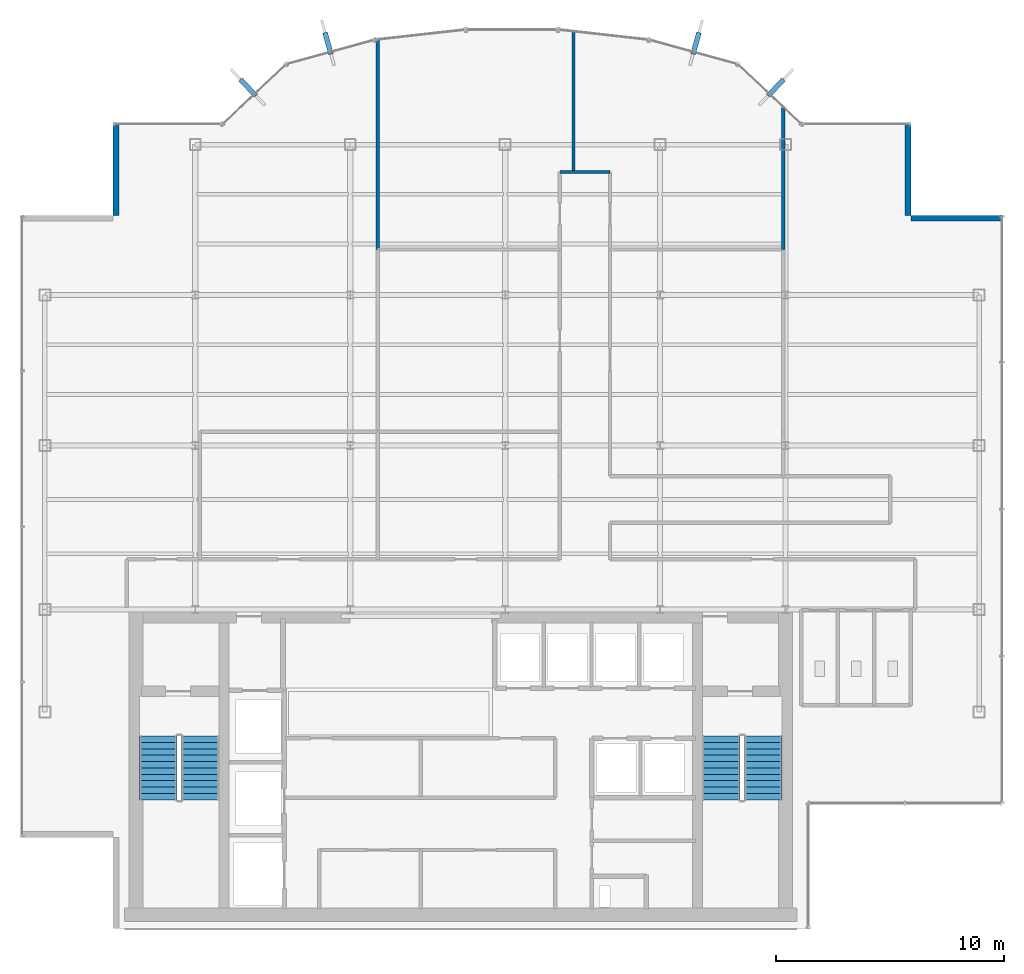
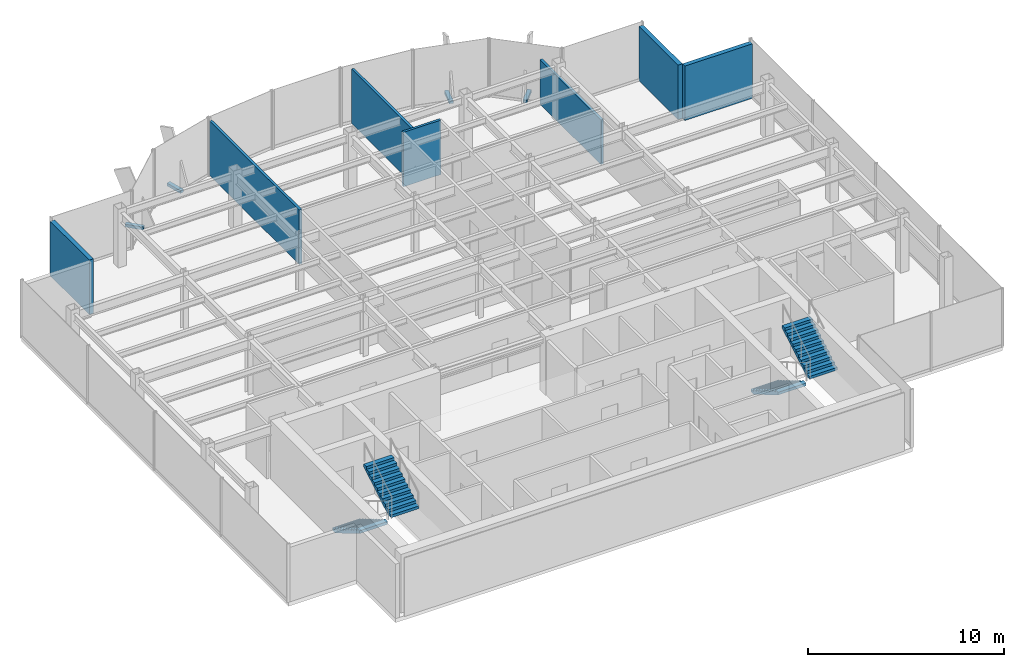
# One storey, part 19 of 22: 7 walls, 4 discrete accessories, 4 stair flights, 2 elements without a shape of their own.
"""IFC4 building model written with IfcOpenShell, lengths in metres."""

from ifc_helpers import new_model, si_unit, derived_unit, direction, frame, frame_2d, origin, origin_2d, place, context, subcontext, project, spatial, polyline, rectangle, outline, extrude, source, transform, mapped, material, layer, layer_set, type_object, element, aggregate, save


model = new_model("IFC4")

# Units and contexts
model_context = context("Model", 3, precision=1e-05, world=origin(), true_north=direction((0.0, 1.0)))
body_context = subcontext(model_context, "Body", "Model", "MODEL_VIEW")
ifc_project = project(units=[si_unit("LENGTHUNIT", "METRE"), si_unit("AREAUNIT", "SQUARE_METRE"), si_unit("VOLUMEUNIT", "CUBIC_METRE"), si_unit("PLANEANGLEUNIT", "RADIAN"), si_unit("MASSUNIT", "GRAM", prefix="KILO"), derived_unit("THERMALTRANSMITTANCEUNIT", [(si_unit("POWERUNIT", "WATT"), 1), (si_unit("LENGTHUNIT", "METRE"), -2), (si_unit("THERMODYNAMICTEMPERATUREUNIT", "KELVIN"), -1)])], contexts=[model_context])

# Site, building, storey
site_placement = place(None, origin())
site = spatial("IfcSite", under=ifc_project, at=site_placement, CompositionType="ELEMENT")
building_placement = place(site_placement, origin())
building = spatial("IfcBuilding", under=site, at=building_placement, Name="Skarnbrae Concourse Arena and Tower", CompositionType="ELEMENT")
storey_placement = place(building_placement, frame((0.0, 0.0, 217.800048828125)))
storey = spatial("IfcBuildingStorey", under=building, at=storey_placement, Name="L56", CompositionType="ELEMENT", Elevation=217.800048828125)

# Walls
ifc_material_1 = material(Name="Precast concrete 40 MPa (C40/50)", Category="concrete")
ifc_layer_1 = layer(ifc_material_1, 0.25)
ifc_layer_set_1 = layer_set([ifc_layer_1], Name="Precast concrete 40 MPa (C40/50)")
wall_type_1 = type_object("IfcWallType", Name="WALL-EXT-SPANDREL-250", PredefinedType="STANDARD", material=ifc_layer_set_1)
shared_shape_1 = source(origin(), body_context, "Body", "SweptSolid", [
    extrude(rectangle(XDim=4.0, YDim=0.25, at=frame_2d((2.0, 0.0))), origin(), (0.0, 0.0, 1.0), 3.39990234375),
])
for number, where, z_axis, x_axis, name in (
    (1, (43.0, 31.175048828125, 0.0), (0.0, 0.0, 1.0), (-1.0, 0.0, 0.0), "L56 Notched corner insulated return wall 05"),
    (2, (38.875, 31.300048828125, 0.0), (0.0, 0.0, 1.0), (0.0, 1.0, 0.0), "L56 Notched corner insulated return wall 06"),
    (3, (4.125, 35.300048828125, 0.0), (0.0, 0.0, 1.0), (0.0, -1.0, 0.0), "L56 Notched corner insulated return wall 16"),
):
    element("IfcWall", number, at=place(storey_placement, frame(where, z_axis=z_axis, x_axis=x_axis)), inside=storey, type_object=wall_type_1, Name=name, PredefinedType="STANDARD", context=body_context, shape_type="MappedRepresentation", body=[
        mapped(shared_shape_1, transform((0.0, 0.0, 0.0))),
    ])
ifc_material_2 = material(Name="Gypsum board on cold-formed steel studs", Category="steel")
ifc_layer_2 = layer(ifc_material_2, 0.14990234375)
ifc_layer_set_2 = layer_set([ifc_layer_2], Name="Gypsum board on cold-formed steel studs")
wall_type_2 = type_object("IfcWallType", Name="WALL-PART-150-1HR", PredefinedType="PARTITIONING", material=ifc_layer_set_2)
shared_shape_2 = source(origin(), body_context, "Body", "SweptSolid", [
    extrude(rectangle(XDim=2.199951171875, YDim=0.14990234375, at=frame_2d((1.10009765625, 0.0))), origin(), (0.0, 0.0, 1.0), 3.39990234375),
])
wall_1_placement = place(storey_placement, frame((23.60009765625, 33.199951171875, 0.0), z_axis=(0.0, 0.0, 1.0), x_axis=(1.0, 0.0, 0.0)))
element("IfcWall", 4, at=wall_1_placement, inside=storey, type_object=wall_type_2, Name="L56 Interior partition wall W-L56-COR-06", PredefinedType="PARTITIONING", context=body_context, shape_type="MappedRepresentation", body=[
    mapped(shared_shape_2, transform((0.0, 0.0, 0.0))),
])
ifc_layer_3 = layer(ifc_material_2, 0.14990234375)
ifc_layer_set_3 = layer_set([ifc_layer_3], Name="Gypsum board on cold-formed steel studs")
wall_type_3 = type_object("IfcWallType", Name="WALL-PART-150", PredefinedType="PARTITIONING", material=ifc_layer_set_3)
shared_shape_3 = source(origin(), body_context, "Body", "SweptSolid", [
    extrude(rectangle(XDim=9.191162109375, YDim=0.14990234375, at=frame_2d((4.595703125, 0.0))), origin(), (0.0, 0.0, 1.0), 3.39990234375),
])
wall_2_placement = place(storey_placement, frame((15.60009765625, 38.9912109375, 0.0), z_axis=(0.0, 0.0, 1.0), x_axis=(0.0, -1.0, 0.0)))
element("IfcWall", 5, at=wall_2_placement, inside=storey, type_object=wall_type_3, Name="L56 Interior partition wall W-L56-DEM-21", PredefinedType="PARTITIONING", context=body_context, shape_type="MappedRepresentation", body=[
    mapped(shared_shape_3, transform((0.0, 0.0, 0.0))),
])
shared_shape_4 = source(origin(), body_context, "Body", "SweptSolid", [
    extrude(rectangle(XDim=6.150146484375, YDim=0.14990234375, at=frame_2d((3.0751953125, 0.0))), origin(), (0.0, 0.0, 1.0), 3.39990234375),
])
wall_3_placement = place(storey_placement, frame((24.199951171875, 39.35009765625, 0.0), z_axis=(0.0, 0.0, 1.0), x_axis=(0.0, -1.0, 0.0)))
element("IfcWall", 6, at=wall_3_placement, inside=storey, type_object=wall_type_3, Name="L56 Interior partition wall W-L56-DEM-22", PredefinedType="PARTITIONING", context=body_context, shape_type="MappedRepresentation", body=[
    mapped(shared_shape_4, transform((0.0, 0.0, 0.0))),
])
shared_shape_5 = source(origin(), body_context, "Body", "SweptSolid", [
    extrude(rectangle(XDim=6.2255859375, YDim=0.14990234375, at=frame_2d((3.11279296875, 0.0))), origin(), (0.0, 0.0, 1.0), 2.786865234375),
])
wall_4_placement = place(storey_placement, frame((33.39990234375, 36.025634765625, 0.0), z_axis=(0.0, 0.0, 1.0), x_axis=(0.0, -1.0, 0.0)))
element("IfcWall", 7, at=wall_4_placement, inside=storey, type_object=wall_type_3, Name="L56 Interior partition wall W-L56-DEM-26", PredefinedType="PARTITIONING", context=body_context, shape_type="MappedRepresentation", body=[
    mapped(shared_shape_5, transform((0.0, 0.0, 0.0))),
])

# Stair, stair flights
ifc_material_3 = material(Name="Concrete 40 MPa (C40/50)", Category="concrete")
stair_type = type_object("IfcStairType", Name="STAIR-DOGLEG-1650", PredefinedType="HALF_TURN_STAIR", material=ifc_material_3)
stair_1_placement = place(storey_placement, origin())
stair_1 = element("IfcStair", 8, at=stair_1_placement, inside=storey, type_object=stair_type, Name="L56 Protected Exit Stair ST-1", PredefinedType="HALF_TURN_STAIR")
stair_flight_type = type_object("IfcStairFlightType", Name="FLIGHT-STRAIGHT-1650", PredefinedType="STRAIGHT", material=ifc_material_3)
shared_shape_6 = source(origin(), body_context, "Body", "SweptSolid", [
    extrude(outline(polyline([(0.0, 0.0), (0.0, 0.166015625), (0.280029296875, 0.166015625), (0.280029296875, 0.331787109375), (0.56005859375, 0.331787109375), (0.56005859375, 0.497802734375), (0.840087890625, 0.497802734375), (0.840087890625, 0.66357421875), (1.1201171875, 0.66357421875), (1.1201171875, 0.82958984375), (1.39990234375, 0.82958984375), (1.39990234375, 0.995361328125), (1.679931640625, 0.995361328125), (1.679931640625, 1.161376953125), (1.9599609375, 1.161376953125), (1.9599609375, 1.327392578125), (2.239990234375, 1.327392578125), (2.239990234375, 1.4931640625), (2.52001953125, 1.4931640625), (2.52001953125, 1.6591796875), (2.800048828125, 1.6591796875), (2.800048828125, 1.824951171875), (2.800048828125, 1.48486328125), (0.2939453125, 0.0), (0.0, 0.0)])), frame((0.0, 0.824951171875, 0.0), z_axis=(0.0, -1.0, 0.0), x_axis=(1.0, 0.0, 0.0)), (0.0, 0.0, 1.0), 1.64990234375),
])
stair_flight_1_placement = place(storey_placement, frame((5.97509765625, 8.449951171875, 0.0), z_axis=(0.0, 0.0, 1.0), x_axis=(0.0, -1.0, 0.0)))
stair_flight_1 = element("IfcStairFlight", 9, at=stair_flight_1_placement, type_object=stair_flight_type, Name="ST-1 flight 1", NumberOfRisers=11, NumberOfTreads=10, PredefinedType="STRAIGHT", RiserHeight=0.165909091, TreadLength=0.28, context=body_context, shape_type="MappedRepresentation", body=[
    mapped(shared_shape_6, transform((0.0, 0.0, 0.0))),
])
stair_flight_2_placement = place(storey_placement, frame((7.824951171875, 5.64990234375, 1.824951171875), z_axis=(0.0, 0.0, 1.0), x_axis=(0.0, 1.0, 0.0)))
stair_flight_2 = element("IfcStairFlight", 10, at=stair_flight_2_placement, type_object=stair_flight_type, Name="ST-1 flight 2", NumberOfRisers=11, NumberOfTreads=10, PredefinedType="STRAIGHT", RiserHeight=0.165909091, TreadLength=0.28, context=body_context, shape_type="MappedRepresentation", body=[
    mapped(shared_shape_6, transform((0.0, 0.0, 0.0))),
])
aggregate(stair_1, [stair_flight_1, stair_flight_2])

stair_2_placement = place(storey_placement, origin())
stair_2 = element("IfcStair", 11, at=stair_2_placement, inside=storey, type_object=stair_type, Name="L56 Protected Exit Stair ST-2", PredefinedType="HALF_TURN_STAIR")
stair_flight_3_placement = place(storey_placement, frame((30.675048828125, 8.449951171875, 0.0), z_axis=(0.0, 0.0, 1.0), x_axis=(0.0, -1.0, 0.0)))
stair_flight_3 = element("IfcStairFlight", 12, at=stair_flight_3_placement, type_object=stair_flight_type, Name="ST-2 flight 1", NumberOfRisers=11, NumberOfTreads=10, PredefinedType="STRAIGHT", RiserHeight=0.165909091, TreadLength=0.28, context=body_context, shape_type="MappedRepresentation", body=[
    mapped(shared_shape_6, transform((0.0, 0.0, 0.0))),
])
stair_flight_4_placement = place(storey_placement, frame((32.52490234375, 5.64990234375, 1.824951171875), z_axis=(0.0, 0.0, 1.0), x_axis=(0.0, 1.0, 0.0)))
stair_flight_4 = element("IfcStairFlight", 13, at=stair_flight_4_placement, type_object=stair_flight_type, Name="ST-2 flight 2", NumberOfRisers=11, NumberOfTreads=10, PredefinedType="STRAIGHT", RiserHeight=0.165909091, TreadLength=0.28, context=body_context, shape_type="MappedRepresentation", body=[
    mapped(shared_shape_6, transform((0.0, 0.0, 0.0))),
])
aggregate(stair_2, [stair_flight_3, stair_flight_4])

# Discrete accessories
ifc_material_4 = material(Name="Bronze anodised aluminium 6063-T6", Category="aluminium")
discrete_accessory_type = type_object("IfcDiscreteAccessoryType", Name="ACC-FIN-BRACKET", PredefinedType="BRACKET", material=ifc_material_4)
shared_shape_7 = source(origin(), body_context, "Body", "SweptSolid", [
    extrude(rectangle(XDim=0.219970703125, YDim=0.97998046875, at=origin_2d()), origin(), (0.0, 0.0, 1.0), 0.179931640625),
])
for number, where, z_axis, x_axis, name in (
    (14, (33.0791015625, 36.904541015625, -0.02978515625), (0.0, 0.0, 1.0), (0.728131751529, -0.685437198009, 0.0), "L56 Bronze fin foot support bracket 08"),
    (15, (29.573974609375, 38.847412109375, -0.02978515625), (0.0, 0.0, 1.0), (0.964058316208, -0.265690728011, 0.0), "L56 Bronze fin foot support bracket 09"),
    (16, (13.426025390625, 38.847412109375, -0.02978515625), (0.0, 0.0, 1.0), (0.964058316208, 0.265690728011, 0.0), "L56 Bronze fin foot support bracket 13"),
    (17, (9.9208984375, 36.904541015625, -0.02978515625), (0.0, 0.0, 1.0), (0.728131751529, 0.685437198009, 0.0), "L56 Bronze fin foot support bracket 14"),
):
    element("IfcDiscreteAccessory", number, at=place(storey_placement, frame(where, z_axis=z_axis, x_axis=x_axis)), inside=storey, type_object=discrete_accessory_type, Name=name, PredefinedType="BRACKET", context=body_context, shape_type="MappedRepresentation", body=[
        mapped(shared_shape_7, transform((0.0, 0.0, 0.0))),
    ])

save(model, "model.ifc")
